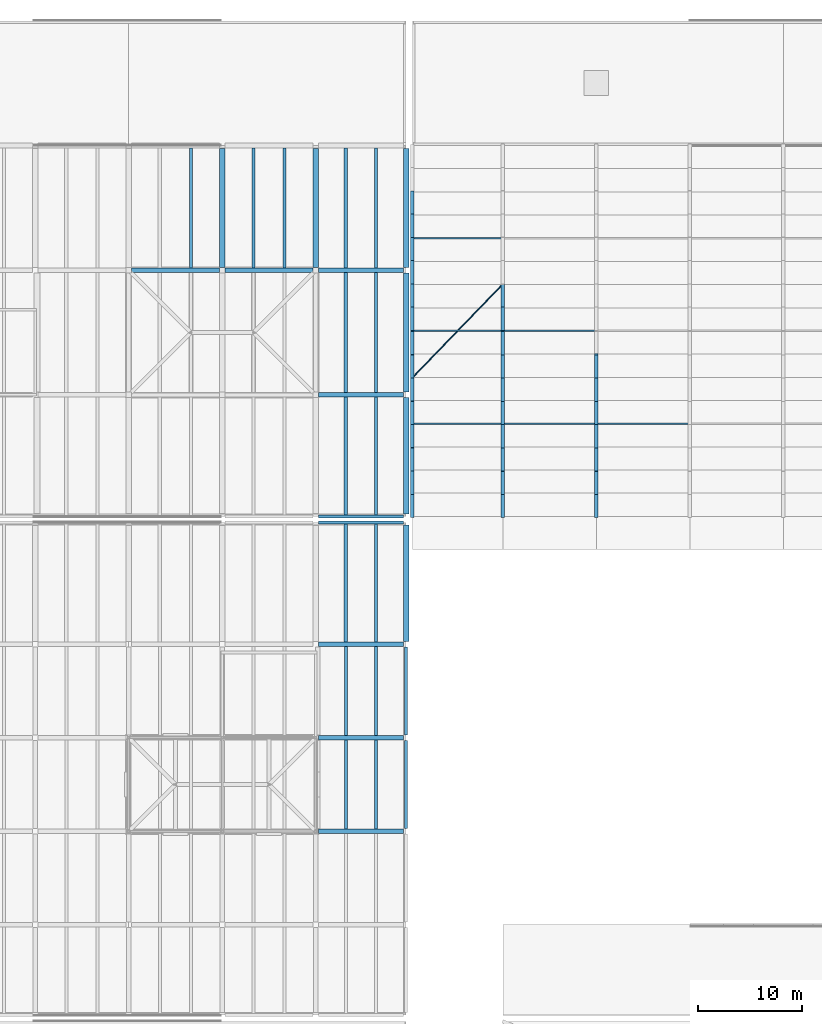
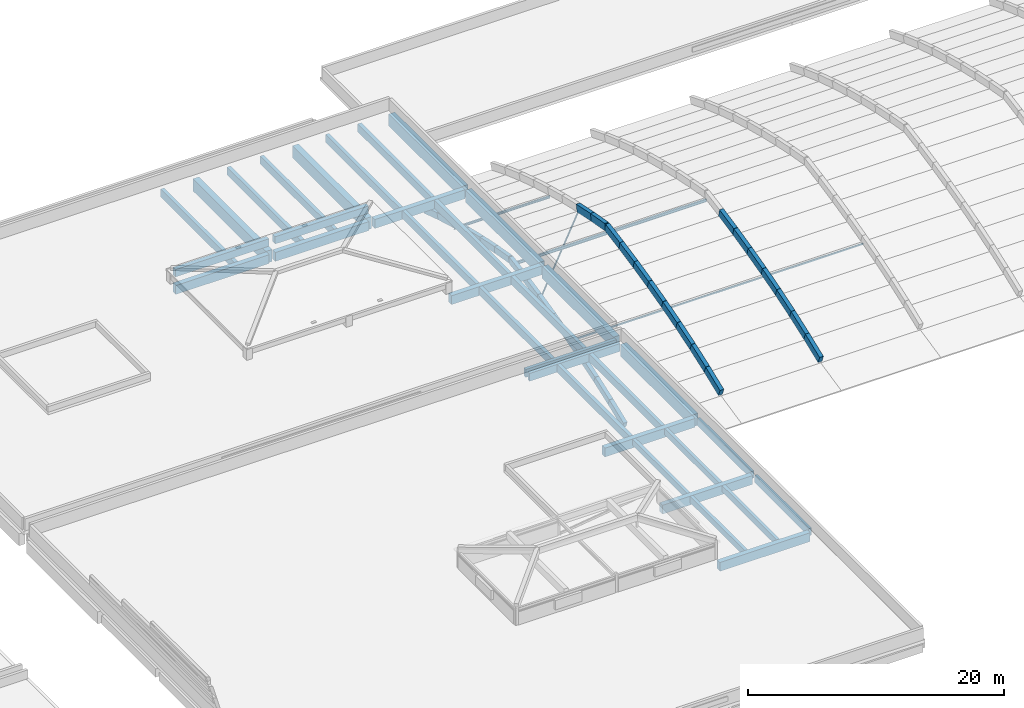
# One storey, part 18 of 56: 65 beams, 7 members.
"""IFC4 building model written with IfcOpenShell, lengths in metres."""

import ifcopenshell
import ifcopenshell.guid

model = None  # the IFC model being written
_history = None  # IfcOwnerHistory: only IFC2X3 demands one
_inside = {}  # id of a spatial element -> (the spatial element, [elements in it])
_under = {}  # id of a project, library or spatial element -> (it, [spatial elements below it])
_declared = {}  # id of a project -> (the project, [libraries it declares])
_typed = {}  # id of a type object -> (the type object, [elements of that type])
_made_of = {}  # id of a material, layer set ... -> (it, [elements and type objects made of it])


def new_model(schema):
    """Start an empty IFC model of exactly this schema.

    Asked for "IFC4X3", IfcOpenShell would pick the latest addendum, in which some entities
    have other attributes; the version numbers below select the first issue.
    IFC2X3 requires an IfcOwnerHistory on every rooted entity: one is made here for all.
    """
    global model, _history
    if schema == "IFC4X3":
        model = ifcopenshell.file(schema_version=(4, 3, 0, 0))
    else:
        model = ifcopenshell.file(schema=schema)
    _inside.clear()
    _under.clear()
    _declared.clear()
    _typed.clear()
    _made_of.clear()
    _history = None
    if model.schema == "IFC2X3":
        org = make("IfcOrganization", Name="unknown")
        user = make(
            "IfcPersonAndOrganization",
            ThePerson=make("IfcPerson", FamilyName="unknown"),
            TheOrganization=org,
        )
        app = make(
            "IfcApplication",
            ApplicationDeveloper=org,
            Version="unknown",
            ApplicationFullName="unknown",
            ApplicationIdentifier="unknown",
        )
        _history = make(
            "IfcOwnerHistory",
            OwningUser=user,
            OwningApplication=app,
            ChangeAction="ADDED",
            CreationDate=0,
        )
    return model


def make(cls, **values):
    """One entity of the class cls with the attributes given. An attribute that is None is left unset."""
    return model.create_entity(
        cls, **{name: value for name, value in values.items() if value is not None}
    )


def rooted(cls, **values):
    """An entity with a GlobalId (a new one), such as an element, a storey or a relation."""
    return make(cls, GlobalId=ifcopenshell.guid.new(), OwnerHistory=_history, **values)


def si_unit(unit_type, name, prefix=None):
    """IfcSIUnit, for example si_unit("LENGTHUNIT", "METRE", prefix="MILLI")."""
    return make("IfcSIUnit", UnitType=unit_type, Prefix=prefix, Name=name)


def assignment(units):
    """IfcUnitAssignment: the units of a project."""
    return None if units is None else make("IfcUnitAssignment", Units=units)


def point(xyz):
    """IfcCartesianPoint."""
    return None if xyz is None else make("IfcCartesianPoint", Coordinates=xyz)


def direction(xyz):
    """IfcDirection."""
    return None if xyz is None else make("IfcDirection", DirectionRatios=xyz)


def frame(location, z_axis=None, x_axis=None):
    """IfcAxis2Placement3D, a coordinate frame: its origin and axes. An axis left out is left unset."""
    return make(
        "IfcAxis2Placement3D",
        Location=point(location),
        Axis=direction(z_axis),
        RefDirection=direction(x_axis),
    )


def frame_2d(location, x_axis=None):
    """IfcAxis2Placement2D, a coordinate frame in the plane: its origin and x axis."""
    return make(
        "IfcAxis2Placement2D", Location=point(location), RefDirection=direction(x_axis)
    )


def origin():
    """The frame at (0, 0, 0) with its axes left unset."""
    return frame((0.0, 0.0, 0.0))


def origin_2d():
    """The frame at (0, 0) in the plane with its x axis left unset."""
    return frame_2d((0.0, 0.0))


def place(relative_to, where):
    """IfcLocalPlacement: puts the frame where relative to a parent placement (None: the world)."""
    return make(
        "IfcLocalPlacement", PlacementRelTo=relative_to, RelativePlacement=where
    )


def context(
    kind, dimensions, precision=None, world=None, true_north=None, identifier=None
):
    """IfcGeometricRepresentationContext, for example the 3D "Model" context."""
    return make(
        "IfcGeometricRepresentationContext",
        ContextIdentifier=identifier,
        ContextType=kind,
        CoordinateSpaceDimension=dimensions,
        Precision=precision,
        WorldCoordinateSystem=world,
        TrueNorth=true_north,
    )


def subcontext(parent, identifier, kind, view, scale=None):
    """IfcGeometricRepresentationSubContext, for example "Body" below "Model"."""
    return make(
        "IfcGeometricRepresentationSubContext",
        ContextIdentifier=identifier,
        ContextType=kind,
        ParentContext=parent,
        TargetScale=scale,
        TargetView=view,
    )


def project(units=None, contexts=None):
    """IfcProject with its units and contexts."""
    return rooted(
        "IfcProject",
        Name="project",
        RepresentationContexts=contexts,
        UnitsInContext=assignment(units),
    )


def spatial(cls, under=None, at=None, **own):
    """A site, building, storey or space (cls), placed at a placement, below another one or the project."""
    s = rooted(cls, ObjectPlacement=at, **own)
    if under is not None:
        _under.setdefault(under.id(), (under, []))[1].append(s)
    return s


def profile(cls, at=None, kind="AREA", **sizes):
    """A parametric profile (cls). Its sizes go by their IFC names, for example OverallWidth=200.0."""
    return make(cls, ProfileType=kind, Position=at, **sizes)


def rectangle(**sizes):
    """IfcRectangleProfileDef."""
    return profile("IfcRectangleProfileDef", **sizes)


def hollow_rectangle(**sizes):
    """IfcRectangleHollowProfileDef."""
    return profile("IfcRectangleHollowProfileDef", **sizes)


def hollow_circle(**sizes):
    """IfcCircleHollowProfileDef."""
    return profile("IfcCircleHollowProfileDef", **sizes)


def i_section(**sizes):
    """IfcIShapeProfileDef."""
    return profile("IfcIShapeProfileDef", **sizes)


def extrude(swept, where, along, depth):
    """IfcExtrudedAreaSolid: the profile swept, set in the frame where, extruded along a direction by depth."""
    return make(
        "IfcExtrudedAreaSolid",
        SweptArea=swept,
        Position=where,
        ExtrudedDirection=direction(along),
        Depth=depth,
    )


def shape(context_of_items, identifier, shape_type, items):
    """IfcShapeRepresentation: the items that make up one representation, for example the "Body"."""
    return make(
        "IfcShapeRepresentation",
        ContextOfItems=context_of_items,
        RepresentationIdentifier=identifier,
        RepresentationType=shape_type,
        Items=items,
    )


def material(Name=None, Category=None):
    """IfcMaterial."""
    return make("IfcMaterial", Name=Name, Category=Category)


def material_profile(
    of_material, cross_section, Name=None, Category=None, Priority=None
):
    """IfcMaterialProfile: a cross section and its material."""
    return make(
        "IfcMaterialProfile",
        Name=Name,
        Material=of_material,
        Profile=cross_section,
        Priority=Priority,
        Category=Category,
    )


def profile_set(profiles, Name=None, composite=None):
    """IfcMaterialProfileSet."""
    return make(
        "IfcMaterialProfileSet",
        Name=Name,
        MaterialProfiles=profiles,
        CompositeProfile=composite,
    )


def made_of(thing, what):
    """Note that an element or type object is made of a material, layer set ...; save() writes the relation."""
    if what is not None:
        _made_of.setdefault(what.id(), (what, []))[1].append(thing)
    return thing


def type_object(cls, material=None, **own):
    """A type object (cls), such as IfcWallType, which elements share."""
    return made_of(rooted(cls, **own), material)


def element(
    cls,
    number,
    at=None,
    inside=None,
    cuts=None,
    type_object=None,
    material=None,
    context=None,
    identifier="Body",
    shape_type=None,
    held_by="IfcProductDefinitionShape",
    body=None,
    shapes=None,
    **own,
):
    """One element of the class cls, such as IfcWall. Its Tag is "e" and its number.

    at: its placement. inside: the storey or other place that contains it. cuts: it is an
    opening in that element (IfcRelVoidsElement). A single representation is given by context,
    identifier, shape_type and body (its items); several are given by shapes. held_by: the class
    of the entity that holds the representations. save() writes the other relations.
    """
    e = rooted(cls, Tag="e%d" % number, ObjectPlacement=at, **own)
    if body is not None:
        shapes = [shape(context, identifier, shape_type, body)]
    if shapes is not None:
        e.Representation = make(held_by, Representations=shapes)
    if inside is not None:
        _inside.setdefault(inside.id(), (inside, []))[1].append(e)
    if cuts is not None:
        rooted(
            "IfcRelVoidsElement", RelatingBuildingElement=cuts, RelatedOpeningElement=e
        )
    if type_object is not None:
        _typed.setdefault(type_object.id(), (type_object, []))[1].append(e)
    return made_of(e, material)


def aggregate(whole, parts):
    """IfcRelAggregates: a whole, such as a stair, and the parts it consists of."""
    return rooted("IfcRelAggregates", RelatingObject=whole, RelatedObjects=parts)


def save(model, path):
    """Write the relations noted so far, then the file.

    IfcRelAggregates (storeys below a building ...), IfcRelContainedInSpatialStructure (elements
    in a storey), IfcRelDefinesByType, IfcRelAssociatesMaterial and IfcRelDeclares: one each for
    every whole, place, type object, material and project.
    """
    for whole, parts in _under.values():
        aggregate(whole, parts)
    for where, things in _inside.values():
        rooted(
            "IfcRelContainedInSpatialStructure",
            RelatedElements=things,
            RelatingStructure=where,
        )
    for kind, things in _typed.values():
        rooted("IfcRelDefinesByType", RelatedObjects=things, RelatingType=kind)
    for what, things in _made_of.values():
        rooted("IfcRelAssociatesMaterial", RelatedObjects=things, RelatingMaterial=what)
    for by, libraries in _declared.values():
        rooted("IfcRelDeclares", RelatingContext=by, RelatedDefinitions=libraries)
    model.write(path)


model = new_model("IFC4")

# Units and contexts
model_context = context("Model", 3, precision=1e-05, world=origin(), true_north=direction((0.0, 1.0)))
body_context = subcontext(model_context, "Body", "Model", "MODEL_VIEW")
ifc_project = project(units=[si_unit("LENGTHUNIT", "METRE"), si_unit("AREAUNIT", "SQUARE_METRE"), si_unit("VOLUMEUNIT", "CUBIC_METRE"), si_unit("PLANEANGLEUNIT", "RADIAN"), si_unit("MASSUNIT", "GRAM", prefix="KILO")], contexts=[model_context])

# Site, building, storey
site_placement = place(None, origin())
site = spatial("IfcSite", under=ifc_project, at=site_placement, CompositionType="ELEMENT")
building_placement = place(site_placement, origin())
building = spatial("IfcBuilding", under=site, at=building_placement, Name="Zacnel Wholesale Market", CompositionType="ELEMENT")
storey_placement = place(building_placement, frame((0.0, 0.0, 20.300048828125)))
storey = spatial("IfcBuildingStorey", under=building, at=storey_placement, Name="RF", CompositionType="ELEMENT", Elevation=20.300048828125)

# Beams
ifc_material_1 = material(Name="Concrete C40/50", Category="concrete")
ifc_material_profile_1 = material_profile(ifc_material_1, rectangle(XDim=0.35009765625, YDim=0.60009765625, at=origin_2d()), Name="ARCH RIB 350x600")
ifc_profile_set_1 = profile_set([ifc_material_profile_1], Name="Concrete C40/50")
beam_type_1 = type_object("IfcBeamType", Name="BM-AR600", PredefinedType="USERDEFINED", material=ifc_profile_set_1)
beam_1_placement = place(storey_placement, frame((72.300048828125, 96.300048828125, -8.830078125), z_axis=(0.0, 0.930242102492, 0.366946359501), x_axis=(-1.0, 0.0, 0.0)))
element("IfcBeam", 1, at=beam_1_placement, inside=storey, type_object=beam_type_1, Name="Extrados arch rib north_west-72.3-S01", ObjectType="ARCH RIB", PredefinedType="USERDEFINED", context=body_context, shape_type="SweptSolid", body=[
    extrude(rectangle(XDim=0.35009765625, YDim=0.60009765625, at=origin_2d()), origin(), (0.0, 0.0, 1.0), 2.3984375),
])
beam_2_placement = place(storey_placement, frame((72.300048828125, 98.53125, -7.949951171875), z_axis=(0.0, 0.941347429701, 0.337438907944), x_axis=(-1.0, 0.0, 0.0)))
element("IfcBeam", 2, at=beam_2_placement, inside=storey, type_object=beam_type_1, Name="Extrados arch rib north_west-72.3-S02", ObjectType="ARCH RIB", PredefinedType="USERDEFINED", context=body_context, shape_type="SweptSolid", body=[
    extrude(rectangle(XDim=0.35009765625, YDim=0.60009765625, at=origin_2d()), origin(), (0.0, 0.0, 1.0), 2.3701171875),
])
beam_3_placement = place(storey_placement, frame((72.300048828125, 100.762451171875, -7.150146484375), z_axis=(0.0, 0.951649713947, 0.307185321823), x_axis=(-1.0, 0.0, 0.0)))
element("IfcBeam", 3, at=beam_3_placement, inside=storey, type_object=beam_type_1, Name="Extrados arch rib north_west-72.3-S03", ObjectType="ARCH RIB", PredefinedType="USERDEFINED", context=body_context, shape_type="SweptSolid", body=[
    extrude(rectangle(XDim=0.35009765625, YDim=0.60009765625, at=origin_2d()), origin(), (0.0, 0.0, 1.0), 2.344482421875),
])
beam_4_placement = place(storey_placement, frame((72.300048828125, 102.99365234375, -6.429931640625), z_axis=(0.0, 0.961257594689, 0.275651658171), x_axis=(-1.0, 0.0, 0.0)))
element("IfcBeam", 4, at=beam_4_placement, inside=storey, type_object=beam_type_1, Name="Extrados arch rib north_west-72.3-S04", ObjectType="ARCH RIB", PredefinedType="USERDEFINED", context=body_context, shape_type="SweptSolid", body=[
    extrude(rectangle(XDim=0.35009765625, YDim=0.60009765625, at=origin_2d()), origin(), (0.0, 0.0, 1.0), 2.3212890625),
])
beam_5_placement = place(storey_placement, frame((72.300048828125, 105.22509765625, -5.7900390625), z_axis=(0.0, 0.967826117389, 0.251619964429), x_axis=(-1.0, 0.0, 0.0)))
element("IfcBeam", 5, at=beam_5_placement, inside=storey, type_object=beam_type_1, Name="Extrados arch rib north_west-72.3-S05", ObjectType="ARCH RIB", PredefinedType="USERDEFINED", context=body_context, shape_type="SweptSolid", body=[
    extrude(rectangle(XDim=0.35009765625, YDim=0.60009765625, at=origin_2d()), origin(), (0.0, 0.0, 1.0), 2.305419921875),
])
beam_6_placement = place(storey_placement, frame((72.300048828125, 107.456298828125, -5.2099609375), z_axis=(0.0, 0.973898559906, 0.226983688872), x_axis=(-1.0, 0.0, 0.0)))
element("IfcBeam", 6, at=beam_6_placement, inside=storey, type_object=beam_type_1, Name="Extrados arch rib north_west-72.3-S06", ObjectType="ARCH RIB", PredefinedType="USERDEFINED", context=body_context, shape_type="SweptSolid", body=[
    extrude(rectangle(XDim=0.35009765625, YDim=0.60009765625, at=origin_2d()), origin(), (0.0, 0.0, 1.0), 2.291015625),
])
beam_7_placement = place(storey_placement, frame((72.300048828125, 109.6875, -4.68994140625), z_axis=(0.0, 0.979405339386, 0.201903890951), x_axis=(-1.0, 0.0, 0.0)))
element("IfcBeam", 7, at=beam_7_placement, inside=storey, type_object=beam_type_1, Name="Extrados arch rib north_west-72.3-S07", ObjectType="ARCH RIB", PredefinedType="USERDEFINED", context=body_context, shape_type="SweptSolid", body=[
    extrude(rectangle(XDim=0.35009765625, YDim=0.60009765625, at=origin_2d()), origin(), (0.0, 0.0, 1.0), 2.278076171875),
])
for number, where, z_axis, x_axis, name in (
    (8, (72.300048828125, 111.918701171875, -4.22998046875), (0.0, 0.984314876249, 0.176420589484), (-1.0, 0.0, 0.0), "Extrados arch rib north_west-72.3-S08"),
    (9, (72.300048828125, 114.14990234375, -3.830078125), (0.0, 0.984314876249, -0.176420589484), (-1.0, 0.0, 0.0), "Extrados arch rib north_west-72.3-S09"),
):
    element("IfcBeam", number, at=place(storey_placement, frame(where, z_axis=z_axis, x_axis=x_axis)), inside=storey, type_object=beam_type_1, Name=name, ObjectType="ARCH RIB", PredefinedType="USERDEFINED", context=body_context, shape_type="SweptSolid", body=[
        extrude(rectangle(XDim=0.35009765625, YDim=0.60009765625, at=origin_2d()), origin(), (0.0, 0.0, 1.0), 2.266845703125),
    ])
beam_8_placement = place(storey_placement, frame((72.300048828125, 116.381103515625, -4.22998046875), z_axis=(0.0, 0.979409707408, -0.201882701177), x_axis=(-1.0, 0.0, 0.0)))
element("IfcBeam", 10, at=beam_8_placement, inside=storey, type_object=beam_type_1, Name="Extrados arch rib north_west-72.3-S10", ObjectType="ARCH RIB", PredefinedType="USERDEFINED", context=body_context, shape_type="SweptSolid", body=[
    extrude(rectangle(XDim=0.35009765625, YDim=0.60009765625, at=origin_2d()), origin(), (0.0, 0.0, 1.0), 2.2783203125),
])
beam_9_placement = place(storey_placement, frame((72.300048828125, 118.612548828125, -4.68994140625), z_axis=(0.0, 0.973898559906, -0.226983688872), x_axis=(-1.0, 0.0, 0.0)))
element("IfcBeam", 11, at=beam_9_placement, inside=storey, type_object=beam_type_1, Name="Extrados arch rib north_west-72.3-S11", ObjectType="ARCH RIB", PredefinedType="USERDEFINED", context=body_context, shape_type="SweptSolid", body=[
    extrude(rectangle(XDim=0.35009765625, YDim=0.60009765625, at=origin_2d()), origin(), (0.0, 0.0, 1.0), 2.291015625),
])
beam_10_placement = place(storey_placement, frame((72.300048828125, 120.84375, -5.2099609375), z_axis=(0.0, 0.967826117389, -0.251619964429), x_axis=(-1.0, 0.0, 0.0)))
element("IfcBeam", 12, at=beam_10_placement, inside=storey, type_object=beam_type_1, Name="Extrados arch rib north_west-72.3-S12", ObjectType="ARCH RIB", PredefinedType="USERDEFINED", context=body_context, shape_type="SweptSolid", body=[
    extrude(rectangle(XDim=0.35009765625, YDim=0.60009765625, at=origin_2d()), origin(), (0.0, 0.0, 1.0), 2.305419921875),
])
beam_11_placement = place(storey_placement, frame((72.300048828125, 123.074951171875, -5.7900390625), z_axis=(0.0, 0.961257594689, -0.275651658171), x_axis=(-1.0, 0.0, 0.0)))
element("IfcBeam", 13, at=beam_11_placement, inside=storey, type_object=beam_type_1, Name="Extrados arch rib north_west-72.3-S13", ObjectType="ARCH RIB", PredefinedType="USERDEFINED", context=body_context, shape_type="SweptSolid", body=[
    extrude(rectangle(XDim=0.35009765625, YDim=0.60009765625, at=origin_2d()), origin(), (0.0, 0.0, 1.0), 2.3212890625),
])
beam_12_placement = place(storey_placement, frame((72.300048828125, 125.306396484375, -6.429931640625), z_axis=(0.0, 0.951649713947, -0.307185321823), x_axis=(-1.0, 0.0, 0.0)))
element("IfcBeam", 14, at=beam_12_placement, inside=storey, type_object=beam_type_1, Name="Extrados arch rib north_west-72.3-S14", ObjectType="ARCH RIB", PredefinedType="USERDEFINED", context=body_context, shape_type="SweptSolid", body=[
    extrude(rectangle(XDim=0.35009765625, YDim=0.60009765625, at=origin_2d()), origin(), (0.0, 0.0, 1.0), 2.344482421875),
])
ifc_material_2 = material(Name="Concrete C40/50", Category="concrete")
ifc_material_profile_2 = material_profile(ifc_material_2, rectangle(XDim=0.35009765625, YDim=0.699951171875, at=origin_2d()), Name="ARCH RIB 350x700")
ifc_profile_set_2 = profile_set([ifc_material_profile_2], Name="Concrete C40/50")
beam_type_2 = type_object("IfcBeamType", Name="BM-AR700", PredefinedType="USERDEFINED", material=ifc_profile_set_2)
beam_13_placement = place(storey_placement, frame((81.0, 96.300048828125, -8.780029296875), z_axis=(0.0, 0.930276844905, 0.366858272135), x_axis=(-1.0, 0.0, 0.0)))
element("IfcBeam", 15, at=beam_13_placement, inside=storey, type_object=beam_type_2, Name="Extrados arch rib north_west-81.0-S01", ObjectType="ARCH RIB", PredefinedType="USERDEFINED", context=body_context, shape_type="SweptSolid", body=[
    extrude(rectangle(XDim=0.35009765625, YDim=0.699951171875, at=origin_2d()), origin(), (0.0, 0.0, 1.0), 2.3984375),
])
beam_14_placement = place(storey_placement, frame((81.0, 98.53125, -7.900146484375), z_axis=(0.0, 0.94131470769, 0.337530178039), x_axis=(-1.0, 0.0, 0.0)))
element("IfcBeam", 16, at=beam_14_placement, inside=storey, type_object=beam_type_2, Name="Extrados arch rib north_west-81.0-S02", ObjectType="ARCH RIB", PredefinedType="USERDEFINED", context=body_context, shape_type="SweptSolid", body=[
    extrude(rectangle(XDim=0.35009765625, YDim=0.699951171875, at=origin_2d()), origin(), (0.0, 0.0, 1.0), 2.370361328125),
])
beam_15_placement = place(storey_placement, frame((81.0, 100.762451171875, -7.10009765625), z_axis=(0.0, 0.951680151046, 0.30709101274), x_axis=(-1.0, 0.0, 0.0)))
element("IfcBeam", 17, at=beam_15_placement, inside=storey, type_object=beam_type_2, Name="Extrados arch rib north_west-81.0-S03", ObjectType="ARCH RIB", PredefinedType="USERDEFINED", context=body_context, shape_type="SweptSolid", body=[
    extrude(rectangle(XDim=0.35009765625, YDim=0.699951171875, at=origin_2d()), origin(), (0.0, 0.0, 1.0), 2.344482421875),
])
beam_16_placement = place(storey_placement, frame((81.0, 102.99365234375, -6.380126953125), z_axis=(0.0, 0.961229723344, 0.275748833108), x_axis=(-1.0, 0.0, 0.0)))
element("IfcBeam", 18, at=beam_16_placement, inside=storey, type_object=beam_type_2, Name="Extrados arch rib north_west-81.0-S04", ObjectType="ARCH RIB", PredefinedType="USERDEFINED", context=body_context, shape_type="SweptSolid", body=[
    extrude(rectangle(XDim=0.35009765625, YDim=0.699951171875, at=origin_2d()), origin(), (0.0, 0.0, 1.0), 2.321533203125),
])
beam_17_placement = place(storey_placement, frame((81.0, 105.22509765625, -5.739990234375), z_axis=(0.0, 0.967851902384, 0.251520764653), x_axis=(-1.0, 0.0, 0.0)))
element("IfcBeam", 19, at=beam_17_placement, inside=storey, type_object=beam_type_2, Name="Extrados arch rib north_west-81.0-S05", ObjectType="ARCH RIB", PredefinedType="USERDEFINED", context=body_context, shape_type="SweptSolid", body=[
    extrude(rectangle(XDim=0.35009765625, YDim=0.699951171875, at=origin_2d()), origin(), (0.0, 0.0, 1.0), 2.305419921875),
])
beam_18_placement = place(storey_placement, frame((81.0, 107.456298828125, -5.16015625), z_axis=(0.0, 0.973898559906, 0.226983688872), x_axis=(-1.0, 0.0, 0.0)))
element("IfcBeam", 20, at=beam_18_placement, inside=storey, type_object=beam_type_2, Name="Extrados arch rib north_west-81.0-S06", ObjectType="ARCH RIB", PredefinedType="USERDEFINED", context=body_context, shape_type="SweptSolid", body=[
    extrude(rectangle(XDim=0.35009765625, YDim=0.699951171875, at=origin_2d()), origin(), (0.0, 0.0, 1.0), 2.291015625),
])
beam_19_placement = place(storey_placement, frame((81.0, 109.6875, -4.64013671875), z_axis=(0.0, 0.979384142499, 0.202006686575), x_axis=(-1.0, 0.0, 0.0)))
element("IfcBeam", 21, at=beam_19_placement, inside=storey, type_object=beam_type_2, Name="Extrados arch rib north_west-81.0-S07", ObjectType="ARCH RIB", PredefinedType="USERDEFINED", context=body_context, shape_type="SweptSolid", body=[
    extrude(rectangle(XDim=0.35009765625, YDim=0.699951171875, at=origin_2d()), origin(), (0.0, 0.0, 1.0), 2.278076171875),
])
for number, where, z_axis, x_axis, name in (
    (22, (81.0, 111.918701171875, -4.179931640625), (0.0, 0.984314876249, 0.176420589484), (-1.0, 0.0, 0.0), "Extrados arch rib north_west-81.0-S08"),
    (23, (81.0, 114.14990234375, -3.780029296875), (0.0, 0.984314876249, -0.176420589484), (-1.0, 0.0, 0.0), "Extrados arch rib north_west-81.0-S09"),
):
    element("IfcBeam", number, at=place(storey_placement, frame(where, z_axis=z_axis, x_axis=x_axis)), inside=storey, type_object=beam_type_2, Name=name, ObjectType="ARCH RIB", PredefinedType="USERDEFINED", context=body_context, shape_type="SweptSolid", body=[
        extrude(rectangle(XDim=0.35009765625, YDim=0.699951171875, at=origin_2d()), origin(), (0.0, 0.0, 1.0), 2.266845703125),
    ])
beam_20_placement = place(storey_placement, frame((81.0, 116.381103515625, -4.179931640625), z_axis=(0.0, 0.979388514875, -0.20198548693), x_axis=(-1.0, 0.0, 0.0)))
element("IfcBeam", 24, at=beam_20_placement, inside=storey, type_object=beam_type_2, Name="Extrados arch rib north_west-81.0-S10", ObjectType="ARCH RIB", PredefinedType="USERDEFINED", context=body_context, shape_type="SweptSolid", body=[
    extrude(rectangle(XDim=0.35009765625, YDim=0.699951171875, at=origin_2d()), origin(), (0.0, 0.0, 1.0), 2.2783203125),
])
beam_21_placement = place(storey_placement, frame((90.0, 96.300048828125, -8.780029296875), z_axis=(0.0, 0.930276844905, 0.366858272135), x_axis=(-1.0, 0.0, 0.0)))
element("IfcBeam", 25, at=beam_21_placement, inside=storey, type_object=beam_type_2, Name="Extrados arch rib north_west-90.0-S01", ObjectType="ARCH RIB", PredefinedType="USERDEFINED", context=body_context, shape_type="SweptSolid", body=[
    extrude(rectangle(XDim=0.35009765625, YDim=0.699951171875, at=origin_2d()), origin(), (0.0, 0.0, 1.0), 2.3984375),
])
beam_22_placement = place(storey_placement, frame((90.0, 98.53125, -7.900146484375), z_axis=(0.0, 0.94131470769, 0.337530178039), x_axis=(-1.0, 0.0, 0.0)))
element("IfcBeam", 26, at=beam_22_placement, inside=storey, type_object=beam_type_2, Name="Extrados arch rib north_west-90.0-S02", ObjectType="ARCH RIB", PredefinedType="USERDEFINED", context=body_context, shape_type="SweptSolid", body=[
    extrude(rectangle(XDim=0.35009765625, YDim=0.699951171875, at=origin_2d()), origin(), (0.0, 0.0, 1.0), 2.370361328125),
])
beam_23_placement = place(storey_placement, frame((90.0, 100.762451171875, -7.10009765625), z_axis=(0.0, 0.951680151046, 0.30709101274), x_axis=(-1.0, 0.0, 0.0)))
element("IfcBeam", 27, at=beam_23_placement, inside=storey, type_object=beam_type_2, Name="Extrados arch rib north_west-90.0-S03", ObjectType="ARCH RIB", PredefinedType="USERDEFINED", context=body_context, shape_type="SweptSolid", body=[
    extrude(rectangle(XDim=0.35009765625, YDim=0.699951171875, at=origin_2d()), origin(), (0.0, 0.0, 1.0), 2.344482421875),
])
beam_24_placement = place(storey_placement, frame((90.0, 102.99365234375, -6.380126953125), z_axis=(0.0, 0.961229723344, 0.275748833108), x_axis=(-1.0, 0.0, 0.0)))
element("IfcBeam", 28, at=beam_24_placement, inside=storey, type_object=beam_type_2, Name="Extrados arch rib north_west-90.0-S04", ObjectType="ARCH RIB", PredefinedType="USERDEFINED", context=body_context, shape_type="SweptSolid", body=[
    extrude(rectangle(XDim=0.35009765625, YDim=0.699951171875, at=origin_2d()), origin(), (0.0, 0.0, 1.0), 2.321533203125),
])
beam_25_placement = place(storey_placement, frame((90.0, 105.22509765625, -5.739990234375), z_axis=(0.0, 0.967851902384, 0.251520764653), x_axis=(-1.0, 0.0, 0.0)))
element("IfcBeam", 29, at=beam_25_placement, inside=storey, type_object=beam_type_2, Name="Extrados arch rib north_west-90.0-S05", ObjectType="ARCH RIB", PredefinedType="USERDEFINED", context=body_context, shape_type="SweptSolid", body=[
    extrude(rectangle(XDim=0.35009765625, YDim=0.699951171875, at=origin_2d()), origin(), (0.0, 0.0, 1.0), 2.305419921875),
])
beam_26_placement = place(storey_placement, frame((90.0, 107.456298828125, -5.16015625), z_axis=(0.0, 0.973898559906, 0.226983688872), x_axis=(-1.0, 0.0, 0.0)))
element("IfcBeam", 30, at=beam_26_placement, inside=storey, type_object=beam_type_2, Name="Extrados arch rib north_west-90.0-S06", ObjectType="ARCH RIB", PredefinedType="USERDEFINED", context=body_context, shape_type="SweptSolid", body=[
    extrude(rectangle(XDim=0.35009765625, YDim=0.699951171875, at=origin_2d()), origin(), (0.0, 0.0, 1.0), 2.291015625),
])
beam_27_placement = place(storey_placement, frame((90.0, 109.6875, -4.64013671875), z_axis=(0.0, 0.979384142499, 0.202006686575), x_axis=(-1.0, 0.0, 0.0)))
element("IfcBeam", 31, at=beam_27_placement, inside=storey, type_object=beam_type_2, Name="Extrados arch rib north_west-90.0-S07", ObjectType="ARCH RIB", PredefinedType="USERDEFINED", context=body_context, shape_type="SweptSolid", body=[
    extrude(rectangle(XDim=0.35009765625, YDim=0.699951171875, at=origin_2d()), origin(), (0.0, 0.0, 1.0), 2.278076171875),
])
ifc_material_3 = material(Name="Precast concrete C45/55", Category="concrete")
ifc_material_profile_3 = material_profile(ifc_material_3, rectangle(XDim=0.280029296875, YDim=0.60009765625, at=origin_2d()), Name="DT RIB 280x600")
ifc_profile_set_3 = profile_set([ifc_material_profile_3], Name="Precast concrete C45/55")
beam_type_3 = type_object("IfcBeamType", Name="BM-DT600", PredefinedType="JOIST", material=ifc_profile_set_3)
for number, where, z_axis, x_axis, name in (
    (32, (65.89990234375, 66.22509765625, -0.60009765625), (0.0, 1.0, 0.0), (-1.0, 0.0, 0.0), "Precast secondary joist RF-0879"),
    (33, (68.800048828125, 66.22509765625, -0.60009765625), (0.0, 1.0, 0.0), (-1.0, 0.0, 0.0), "Precast secondary joist RF-0880"),
    (34, (65.89990234375, 75.22509765625, -0.60009765625), (0.0, 1.0, 0.0), (-1.0, 0.0, 0.0), "Precast secondary joist RF-0899"),
    (35, (68.800048828125, 75.22509765625, -0.60009765625), (0.0, 1.0, 0.0), (-1.0, 0.0, 0.0), "Precast secondary joist RF-0900"),
):
    element("IfcBeam", number, at=place(storey_placement, frame(where, z_axis=z_axis, x_axis=x_axis)), inside=storey, type_object=beam_type_3, Name=name, PredefinedType="JOIST", context=body_context, shape_type="SweptSolid", body=[
        extrude(rectangle(XDim=0.280029296875, YDim=0.60009765625, at=origin_2d()), origin(), (0.0, 0.0, 1.0), 8.5498046875),
    ])
ifc_material_4 = material(Name="Precast concrete C45/55", Category="concrete")
ifc_material_profile_4 = material_profile(ifc_material_4, rectangle(XDim=0.320068359375, YDim=0.75, at=origin_2d()), Name="DT RIB 320x750")
ifc_profile_set_4 = profile_set([ifc_material_profile_4], Name="Precast concrete C45/55")
beam_type_4 = type_object("IfcBeamType", Name="BM-DT750", PredefinedType="JOIST", material=ifc_profile_set_4)
for number, where, z_axis, x_axis, name in (
    (36, (65.89990234375, 84.22509765625, -0.675048828125), (0.0, 1.0, 0.0), (-1.0, 0.0, 0.0), "Precast secondary joist RF-0919"),
    (37, (68.800048828125, 84.22509765625, -0.675048828125), (0.0, 1.0, 0.0), (-1.0, 0.0, 0.0), "Precast secondary joist RF-0920"),
    (38, (65.89990234375, 96.449951171875, -0.675048828125), (0.0, 1.0, 0.0), (-1.0, 0.0, 0.0), "Precast secondary joist RF-0939"),
    (39, (68.800048828125, 96.449951171875, -0.675048828125), (0.0, 1.0, 0.0), (-1.0, 0.0, 0.0), "Precast secondary joist RF-0940"),
):
    element("IfcBeam", number, at=place(storey_placement, frame(where, z_axis=z_axis, x_axis=x_axis)), inside=storey, type_object=beam_type_4, Name=name, PredefinedType="JOIST", context=body_context, shape_type="SweptSolid", body=[
        extrude(rectangle(XDim=0.320068359375, YDim=0.75, at=origin_2d()), origin(), (0.0, 0.0, 1.0), 11.324951171875),
    ])
for number, where, z_axis, x_axis, name in (
    (40, (65.89990234375, 108.22509765625, -0.675048828125), (0.0, 1.0, 0.0), (-1.0, 0.0, 0.0), "Precast secondary joist RF-0951"),
    (41, (68.800048828125, 108.22509765625, -0.675048828125), (0.0, 1.0, 0.0), (-1.0, 0.0, 0.0), "Precast secondary joist RF-0952"),
    (42, (51.0, 120.22509765625, -0.675048828125), (0.0, 1.0, 0.0), (-1.0, 0.0, 0.0), "Precast secondary joist RF-0960"),
    (43, (57.0, 120.22509765625, -0.675048828125), (0.0, 1.0, 0.0), (-1.0, 0.0, 0.0), "Precast secondary joist RF-0961"),
    (44, (60.0, 120.22509765625, -0.675048828125), (0.0, 1.0, 0.0), (-1.0, 0.0, 0.0), "Precast secondary joist RF-0962"),
    (45, (65.89990234375, 120.22509765625, -0.675048828125), (0.0, 1.0, 0.0), (-1.0, 0.0, 0.0), "Precast secondary joist RF-0963"),
    (46, (68.800048828125, 120.22509765625, -0.675048828125), (0.0, 1.0, 0.0), (-1.0, 0.0, 0.0), "Precast secondary joist RF-0964"),
):
    element("IfcBeam", number, at=place(storey_placement, frame(where, z_axis=z_axis, x_axis=x_axis)), inside=storey, type_object=beam_type_4, Name=name, PredefinedType="JOIST", context=body_context, shape_type="SweptSolid", body=[
        extrude(rectangle(XDim=0.320068359375, YDim=0.75, at=origin_2d()), origin(), (0.0, 0.0, 1.0), 11.5498046875),
    ])
ifc_material_5 = material(Name="Precast concrete C45/55", Category="concrete")
ifc_material_profile_5 = material_profile(ifc_material_5, rectangle(XDim=0.550048828125, YDim=1.14990234375, at=origin_2d()), Name="PG 550x1150")
ifc_profile_set_5 = profile_set([ifc_material_profile_5], Name="Precast concrete C45/55")
beam_type_5 = type_object("IfcBeamType", Name="BM-PG1150", PredefinedType="T_BEAM", material=ifc_profile_set_5)
for number, where, z_axis, x_axis, name in (
    (47, (54.0, 120.27490234375, -0.875), (0.0, 1.0, 0.0), (-1.0, 0.0, 0.0), "Precast girder Y-1477"),
    (48, (63.0, 120.27490234375, -0.875), (0.0, 1.0, 0.0), (-1.0, 0.0, 0.0), "Precast girder Y-1485"),
):
    element("IfcBeam", number, at=place(storey_placement, frame(where, z_axis=z_axis, x_axis=x_axis)), inside=storey, type_object=beam_type_5, Name=name, PredefinedType="T_BEAM", context=body_context, shape_type="SweptSolid", body=[
        extrude(rectangle(XDim=0.550048828125, YDim=1.14990234375, at=origin_2d()), origin(), (0.0, 0.0, 1.0), 11.4501953125),
    ])
for number, where, z_axis, x_axis, name in (
    (49, (71.699951171875, 84.27490234375, -0.875), (0.0, 1.0, 0.0), (-1.0, 0.0, 0.0), "Precast girder Y-1490"),
    (50, (71.699951171875, 96.550048828125, -0.875), (0.0, 1.0, 0.0), (-1.0, 0.0, 0.0), "Precast girder Y-1491"),
):
    element("IfcBeam", number, at=place(storey_placement, frame(where, z_axis=z_axis, x_axis=x_axis)), inside=storey, type_object=beam_type_5, Name=name, PredefinedType="T_BEAM", context=body_context, shape_type="SweptSolid", body=[
        extrude(rectangle(XDim=0.550048828125, YDim=1.14990234375, at=origin_2d()), origin(), (0.0, 0.0, 1.0), 11.175048828125),
    ])
for number, where, z_axis, x_axis, name in (
    (51, (71.699951171875, 108.27490234375, -0.875), (0.0, 1.0, 0.0), (-1.0, 0.0, 0.0), "Precast girder Y-1492"),
    (52, (71.699951171875, 120.27490234375, -0.875), (0.0, 1.0, 0.0), (-1.0, 0.0, 0.0), "Precast girder Y-1493"),
):
    element("IfcBeam", number, at=place(storey_placement, frame(where, z_axis=z_axis, x_axis=x_axis)), inside=storey, type_object=beam_type_5, Name=name, PredefinedType="T_BEAM", context=body_context, shape_type="SweptSolid", body=[
        extrude(rectangle(XDim=0.550048828125, YDim=1.14990234375, at=origin_2d()), origin(), (0.0, 0.0, 1.0), 11.4501953125),
    ])
ifc_material_6 = material(Name="Precast concrete C45/55", Category="concrete")
ifc_material_profile_6 = material_profile(ifc_material_6, rectangle(XDim=0.39990234375, YDim=0.699951171875, at=origin_2d()), Name="PG 400x700")
ifc_profile_set_6 = profile_set([ifc_material_profile_6], Name="Precast concrete C45/55")
beam_type_6 = type_object("IfcBeamType", Name="BM-PG700", PredefinedType="BEAM", material=ifc_profile_set_6)
for number, where, z_axis, x_axis, name in (
    (53, (45.280029296875, 120.0, 0.849853515625), (1.0, 0.0, 0.0), (0.0, 1.0, 0.0), "Attic crown girder X V3NLAN-03"),
    (54, (54.280029296875, 120.0, 0.849853515625), (1.0, 0.0, 0.0), (0.0, 1.0, 0.0), "Attic crown girder X V3NLAN-04"),
):
    element("IfcBeam", number, at=place(storey_placement, frame(where, z_axis=z_axis, x_axis=x_axis)), inside=storey, type_object=beam_type_6, Name=name, PredefinedType="BEAM", context=body_context, shape_type="SweptSolid", body=[
        extrude(rectangle(XDim=0.39990234375, YDim=0.699951171875, at=origin_2d()), origin(), (0.0, 0.0, 1.0), 8.43994140625),
    ])
ifc_material_7 = material(Name="Precast concrete C45/55", Category="concrete")
ifc_material_profile_7 = material_profile(ifc_material_7, rectangle(XDim=0.449951171875, YDim=0.85009765625, at=origin_2d()), Name="PG 450x850")
ifc_profile_set_7 = profile_set([ifc_material_profile_7], Name="Precast concrete C45/55")
beam_type_7 = type_object("IfcBeamType", Name="BM-PG850", PredefinedType="BEAM", material=ifc_profile_set_7)
for number, where, z_axis, x_axis, name in (
    (55, (63.27490234375, 66.0, -0.72509765625), (1.0, 0.0, 0.0), (0.0, 1.0, 0.0), "Precast girder X-1379"),
    (56, (63.27490234375, 75.0, -0.72509765625), (1.0, 0.0, 0.0), (0.0, 1.0, 0.0), "Precast girder X-1389"),
    (57, (63.27490234375, 84.0, -0.72509765625), (1.0, 0.0, 0.0), (0.0, 1.0, 0.0), "Precast girder X-1399"),
    (58, (63.27490234375, 108.0, -0.72509765625), (1.0, 0.0, 0.0), (0.0, 1.0, 0.0), "Precast girder X-1425"),
):
    element("IfcBeam", number, at=place(storey_placement, frame(where, z_axis=z_axis, x_axis=x_axis)), inside=storey, type_object=beam_type_7, Name=name, PredefinedType="BEAM", context=body_context, shape_type="SweptSolid", body=[
        extrude(rectangle(XDim=0.449951171875, YDim=0.85009765625, at=origin_2d()), origin(), (0.0, 0.0, 1.0), 8.150146484375),
    ])
for number, where, z_axis, x_axis, name in (
    (59, (45.27490234375, 120.0, -0.72509765625), (1.0, 0.0, 0.0), (0.0, 1.0, 0.0), "Precast girder X-1429"),
    (60, (54.27490234375, 120.0, -0.72509765625), (1.0, 0.0, 0.0), (0.0, 1.0, 0.0), "Precast girder X-1430"),
):
    element("IfcBeam", number, at=place(storey_placement, frame(where, z_axis=z_axis, x_axis=x_axis)), inside=storey, type_object=beam_type_7, Name=name, PredefinedType="BEAM", context=body_context, shape_type="SweptSolid", body=[
        extrude(rectangle(XDim=0.449951171875, YDim=0.85009765625, at=origin_2d()), origin(), (0.0, 0.0, 1.0), 8.4501953125),
    ])
beam_28_placement = place(storey_placement, frame((63.27490234375, 120.0, -0.72509765625), z_axis=(1.0, 0.0, 0.0), x_axis=(0.0, 1.0, 0.0)))
element("IfcBeam", 61, at=beam_28_placement, inside=storey, type_object=beam_type_7, Name="Precast girder X-1431", PredefinedType="BEAM", context=body_context, shape_type="SweptSolid", body=[
    extrude(rectangle(XDim=0.449951171875, YDim=0.85009765625, at=origin_2d()), origin(), (0.0, 0.0, 1.0), 8.150146484375),
])
ifc_material_8 = material(Name="Precast concrete C45/55", Category="concrete")
ifc_material_profile_8 = material_profile(ifc_material_8, rectangle(XDim=0.280029296875, YDim=0.679931640625, at=origin_2d()), Name="SP 280x680")
ifc_profile_set_8 = profile_set([ifc_material_profile_8], Name="Precast concrete C45/55")
beam_type_8 = type_object("IfcBeamType", Name="BM-SP680", PredefinedType="SPANDREL", material=ifc_profile_set_8)
for number, where, z_axis, x_axis, name in (
    (62, (71.699951171875, 66.27490234375, -0.64013671875), (0.0, 1.0, 0.0), (-1.0, 0.0, 0.0), "Precast girder Y-1488"),
    (63, (71.699951171875, 75.27490234375, -0.64013671875), (0.0, 1.0, 0.0), (-1.0, 0.0, 0.0), "Precast girder Y-1489"),
):
    element("IfcBeam", number, at=place(storey_placement, frame(where, z_axis=z_axis, x_axis=x_axis)), inside=storey, type_object=beam_type_8, Name=name, PredefinedType="SPANDREL", context=body_context, shape_type="SweptSolid", body=[
        extrude(rectangle(XDim=0.280029296875, YDim=0.679931640625, at=origin_2d()), origin(), (0.0, 0.0, 1.0), 8.4501953125),
    ])
ifc_material_9 = material(Name="Precast concrete C45/55", Category="concrete")
ifc_material_profile_9 = material_profile(ifc_material_9, rectangle(XDim=0.300048828125, YDim=0.75, at=origin_2d()), Name="SP 300x750")
ifc_profile_set_9 = profile_set([ifc_material_profile_9], Name="Precast concrete C45/55")
beam_type_9 = type_object("IfcBeamType", Name="BM-SP750", PredefinedType="SPANDREL", material=ifc_profile_set_9)
for number, where, z_axis, x_axis, name in (
    (64, (63.27490234375, 95.699951171875, -0.675048828125), (1.0, 0.0, 0.0), (0.0, 1.0, 0.0), "Precast girder X-1409"),
    (65, (63.27490234375, 96.300048828125, -0.675048828125), (1.0, 0.0, 0.0), (0.0, 1.0, 0.0), "Precast girder X-1419"),
):
    element("IfcBeam", number, at=place(storey_placement, frame(where, z_axis=z_axis, x_axis=x_axis)), inside=storey, type_object=beam_type_9, Name=name, PredefinedType="SPANDREL", context=body_context, shape_type="SweptSolid", body=[
        extrude(rectangle(XDim=0.300048828125, YDim=0.75, at=origin_2d()), origin(), (0.0, 0.0, 1.0), 8.175048828125),
    ])

# Members
ifc_material_10 = material(Name="Steel S355", Category="steel")
ifc_material_profile_10 = material_profile(ifc_material_10, hollow_circle(Radius=0.06982421875, WallThickness=0.00634765625, at=origin_2d()), Name="CHS 139.7x6.3")
ifc_profile_set_10 = profile_set([ifc_material_profile_10], Name="Steel S355")
member_type_1 = type_object("IfcMemberType", Name="MEM-BRC-CHS140", PredefinedType="BRACE", material=ifc_profile_set_10)
member_1_placement = place(storey_placement, frame((72.340087890625, 109.6875, -5.06005859375), z_axis=(0.69470230644, 0.719297369262, 0.0), x_axis=(-0.719297369262, 0.69470230644, 0.0)))
element("IfcMember", 66, at=member_1_placement, inside=storey, type_object=member_type_1, Name="Shell diaphragm brace 002", PredefinedType="BRACE", context=body_context, shape_type="SweptSolid", body=[
    extrude(hollow_circle(Radius=0.06982421875, WallThickness=0.00634765625, at=origin_2d()), origin(), (0.0, 0.0, 1.0), 12.407958984375),
])
ifc_material_11 = material(Name="Steel S355", Category="steel")
ifc_material_profile_11 = material_profile(ifc_material_11, hollow_rectangle(XDim=0.10009765625, YDim=0.14990234375, WallThickness=0.008056640625, InnerFilletRadius=0.008056640625, OuterFilletRadius=0.01611328125, at=origin_2d()), Name="HSS 150x100x8")
ifc_profile_set_11 = profile_set([ifc_material_profile_11], Name="Steel S355")
member_type_2 = type_object("IfcMemberType", Name="MEM-PUR-HSS150", PredefinedType="PURLIN", material=ifc_profile_set_11)
member_2_placement = place(storey_placement, frame((72.320068359375, 105.22509765625, -6.27001953125), z_axis=(1.0, 0.0, 0.0), x_axis=(0.0, 1.0, 0.0)))
element("IfcMember", 67, at=member_2_placement, inside=storey, type_object=member_type_2, Name="Shell longitudinal tie purlin 0001", PredefinedType="PURLIN", context=body_context, shape_type="SweptSolid", body=[
    extrude(hollow_rectangle(XDim=0.10009765625, YDim=0.14990234375, WallThickness=0.008056640625, InnerFilletRadius=0.008056640625, OuterFilletRadius=0.01611328125, at=origin_2d()), origin(), (0.0, 0.0, 1.0), 8.659912109375),
])
for number, where, z_axis, x_axis, name in (
    (68, (81.02001953125, 105.22509765625, -6.27001953125), (1.0, 0.0, 0.0), (0.0, 1.0, 0.0), "Shell longitudinal tie purlin 0004"),
    (69, (90.02001953125, 105.22509765625, -6.27001953125), (1.0, 0.0, 0.0), (0.0, 1.0, 0.0), "Shell longitudinal tie purlin 0007"),
):
    element("IfcMember", number, at=place(storey_placement, frame(where, z_axis=z_axis, x_axis=x_axis)), inside=storey, type_object=member_type_2, Name=name, PredefinedType="PURLIN", context=body_context, shape_type="SweptSolid", body=[
        extrude(hollow_rectangle(XDim=0.10009765625, YDim=0.14990234375, WallThickness=0.008056640625, InnerFilletRadius=0.008056640625, OuterFilletRadius=0.01611328125, at=origin_2d()), origin(), (0.0, 0.0, 1.0), 8.9599609375),
    ])
ifc_material_12 = material(Name="Steel S355", Category="steel")
ifc_material_profile_12 = material_profile(ifc_material_12, i_section(OverallWidth=0.133056640625, OverallDepth=0.20703125, WebThickness=0.005859375, FlangeThickness=0.00830078125, FilletRadius=0.008056640625, at=origin_2d()), Name="W200X26.6")
ifc_profile_set_12 = profile_set([ifc_material_profile_12], Name="Steel S355")
member_type_3 = type_object("IfcMemberType", Name="MEM-PUR-W200", PredefinedType="PURLIN", material=ifc_profile_set_12)
member_3_placement = place(storey_placement, frame((72.320068359375, 123.074951171875, -6.298583984375), z_axis=(1.0, 0.0, 0.0), x_axis=(0.0, 1.0, 0.0)))
element("IfcMember", 70, at=member_3_placement, inside=storey, type_object=member_type_3, Name="Shell longitudinal tie purlin 0003", PredefinedType="PURLIN", context=body_context, shape_type="SweptSolid", body=[
    extrude(i_section(OverallWidth=0.133056640625, OverallDepth=0.20703125, WebThickness=0.005859375, FlangeThickness=0.00830078125, FilletRadius=0.008056640625, at=origin_2d()), origin(), (0.0, 0.0, 1.0), 8.659912109375),
])
ifc_material_13 = material(Name="Steel S355", Category="steel")
ifc_material_profile_13 = material_profile(ifc_material_13, i_section(OverallWidth=0.14599609375, OverallDepth=0.258056640625, WebThickness=0.006103515625, FlangeThickness=0.009033203125, FilletRadius=0.009033203125, at=origin_2d()), Name="W250X32.7")
ifc_profile_set_13 = profile_set([ifc_material_profile_13], Name="Steel S355")
member_type_4 = type_object("IfcMemberType", Name="MEM-PUR-W250", PredefinedType="PURLIN", material=ifc_profile_set_13)
member_4_placement = place(storey_placement, frame((72.320068359375, 114.14990234375, -4.364013671875), z_axis=(1.0, 0.0, 0.0), x_axis=(0.0, 1.0, 0.0)))
element("IfcMember", 71, at=member_4_placement, inside=storey, type_object=member_type_4, Name="Shell longitudinal tie purlin 0002", PredefinedType="PURLIN", context=body_context, shape_type="SweptSolid", body=[
    extrude(i_section(OverallWidth=0.14599609375, OverallDepth=0.258056640625, WebThickness=0.006103515625, FlangeThickness=0.009033203125, FilletRadius=0.009033203125, at=origin_2d()), origin(), (0.0, 0.0, 1.0), 8.659912109375),
])
member_5_placement = place(storey_placement, frame((81.02001953125, 114.14990234375, -4.364013671875), z_axis=(1.0, 0.0, 0.0), x_axis=(0.0, 1.0, 0.0)))
element("IfcMember", 72, at=member_5_placement, inside=storey, type_object=member_type_4, Name="Shell longitudinal tie purlin 0005", PredefinedType="PURLIN", context=body_context, shape_type="SweptSolid", body=[
    extrude(i_section(OverallWidth=0.14599609375, OverallDepth=0.258056640625, WebThickness=0.006103515625, FlangeThickness=0.009033203125, FilletRadius=0.009033203125, at=origin_2d()), origin(), (0.0, 0.0, 1.0), 8.9599609375),
])

save(model, "model.ifc")
